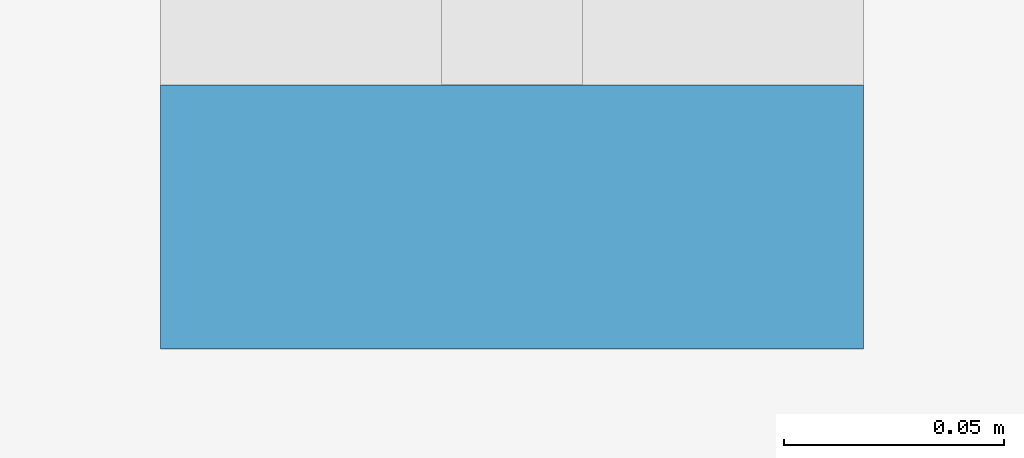
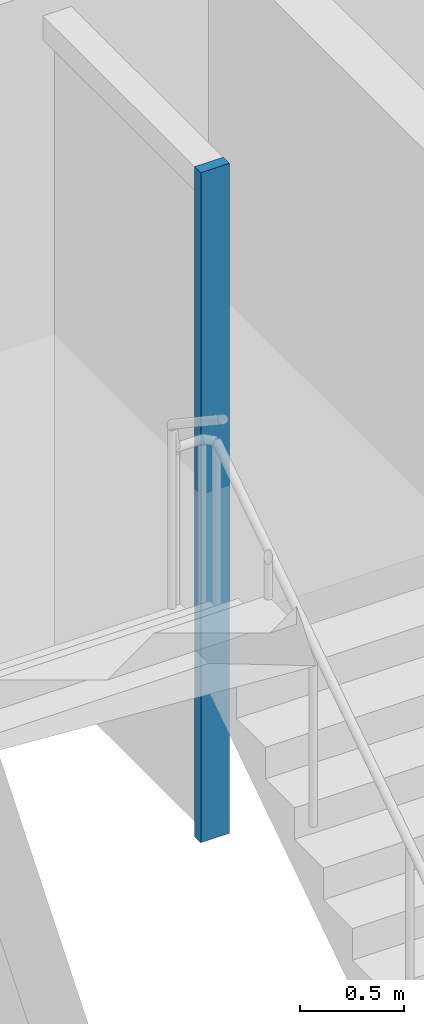
# One storey, part 9 of 29: 1 member, 1 element without a shape of its own.
"""IFC4 building model written with IfcOpenShell, lengths in metres."""

import ifcopenshell
import ifcopenshell.guid

model = None  # the IFC model being written
_history = None  # IfcOwnerHistory: only IFC2X3 demands one
_inside = {}  # id of a spatial element -> (the spatial element, [elements in it])
_under = {}  # id of a project, library or spatial element -> (it, [spatial elements below it])
_declared = {}  # id of a project -> (the project, [libraries it declares])
_typed = {}  # id of a type object -> (the type object, [elements of that type])
_made_of = {}  # id of a material, layer set ... -> (it, [elements and type objects made of it])


def new_model(schema):
    """Start an empty IFC model of exactly this schema.

    Asked for "IFC4X3", IfcOpenShell would pick the latest addendum, in which some entities
    have other attributes; the version numbers below select the first issue.
    IFC2X3 requires an IfcOwnerHistory on every rooted entity: one is made here for all.
    """
    global model, _history
    if schema == "IFC4X3":
        model = ifcopenshell.file(schema_version=(4, 3, 0, 0))
    else:
        model = ifcopenshell.file(schema=schema)
    _inside.clear()
    _under.clear()
    _declared.clear()
    _typed.clear()
    _made_of.clear()
    _history = None
    if model.schema == "IFC2X3":
        org = make("IfcOrganization", Name="unknown")
        user = make(
            "IfcPersonAndOrganization",
            ThePerson=make("IfcPerson", FamilyName="unknown"),
            TheOrganization=org,
        )
        app = make(
            "IfcApplication",
            ApplicationDeveloper=org,
            Version="unknown",
            ApplicationFullName="unknown",
            ApplicationIdentifier="unknown",
        )
        _history = make(
            "IfcOwnerHistory",
            OwningUser=user,
            OwningApplication=app,
            ChangeAction="ADDED",
            CreationDate=0,
        )
    return model


def make(cls, **values):
    """One entity of the class cls with the attributes given. An attribute that is None is left unset."""
    return model.create_entity(
        cls, **{name: value for name, value in values.items() if value is not None}
    )


def rooted(cls, **values):
    """An entity with a GlobalId (a new one), such as an element, a storey or a relation."""
    return make(cls, GlobalId=ifcopenshell.guid.new(), OwnerHistory=_history, **values)


def si_unit(unit_type, name, prefix=None):
    """IfcSIUnit, for example si_unit("LENGTHUNIT", "METRE", prefix="MILLI")."""
    return make("IfcSIUnit", UnitType=unit_type, Prefix=prefix, Name=name)


def assignment(units):
    """IfcUnitAssignment: the units of a project."""
    return None if units is None else make("IfcUnitAssignment", Units=units)


def point(xyz):
    """IfcCartesianPoint."""
    return None if xyz is None else make("IfcCartesianPoint", Coordinates=xyz)


def direction(xyz):
    """IfcDirection."""
    return None if xyz is None else make("IfcDirection", DirectionRatios=xyz)


def frame(location, z_axis=None, x_axis=None):
    """IfcAxis2Placement3D, a coordinate frame: its origin and axes. An axis left out is left unset."""
    return make(
        "IfcAxis2Placement3D",
        Location=point(location),
        Axis=direction(z_axis),
        RefDirection=direction(x_axis),
    )


def frame_2d(location, x_axis=None):
    """IfcAxis2Placement2D, a coordinate frame in the plane: its origin and x axis."""
    return make(
        "IfcAxis2Placement2D", Location=point(location), RefDirection=direction(x_axis)
    )


def origin():
    """The frame at (0, 0, 0) with its axes left unset."""
    return frame((0.0, 0.0, 0.0))


def origin_2d():
    """The frame at (0, 0) in the plane with its x axis left unset."""
    return frame_2d((0.0, 0.0))


def place(relative_to, where):
    """IfcLocalPlacement: puts the frame where relative to a parent placement (None: the world)."""
    return make(
        "IfcLocalPlacement", PlacementRelTo=relative_to, RelativePlacement=where
    )


def context(
    kind, dimensions, precision=None, world=None, true_north=None, identifier=None
):
    """IfcGeometricRepresentationContext, for example the 3D "Model" context."""
    return make(
        "IfcGeometricRepresentationContext",
        ContextIdentifier=identifier,
        ContextType=kind,
        CoordinateSpaceDimension=dimensions,
        Precision=precision,
        WorldCoordinateSystem=world,
        TrueNorth=true_north,
    )


def subcontext(parent, identifier, kind, view, scale=None):
    """IfcGeometricRepresentationSubContext, for example "Body" below "Model"."""
    return make(
        "IfcGeometricRepresentationSubContext",
        ContextIdentifier=identifier,
        ContextType=kind,
        ParentContext=parent,
        TargetScale=scale,
        TargetView=view,
    )


def project(units=None, contexts=None):
    """IfcProject with its units and contexts."""
    return rooted(
        "IfcProject",
        Name="project",
        RepresentationContexts=contexts,
        UnitsInContext=assignment(units),
    )


def spatial(cls, under=None, at=None, **own):
    """A site, building, storey or space (cls), placed at a placement, below another one or the project."""
    s = rooted(cls, ObjectPlacement=at, **own)
    if under is not None:
        _under.setdefault(under.id(), (under, []))[1].append(s)
    return s


def profile(cls, at=None, kind="AREA", **sizes):
    """A parametric profile (cls). Its sizes go by their IFC names, for example OverallWidth=200.0."""
    return make(cls, ProfileType=kind, Position=at, **sizes)


def rectangle(**sizes):
    """IfcRectangleProfileDef."""
    return profile("IfcRectangleProfileDef", **sizes)


def extrude(swept, where, along, depth):
    """IfcExtrudedAreaSolid: the profile swept, set in the frame where, extruded along a direction by depth."""
    return make(
        "IfcExtrudedAreaSolid",
        SweptArea=swept,
        Position=where,
        ExtrudedDirection=direction(along),
        Depth=depth,
    )


def shape(context_of_items, identifier, shape_type, items):
    """IfcShapeRepresentation: the items that make up one representation, for example the "Body"."""
    return make(
        "IfcShapeRepresentation",
        ContextOfItems=context_of_items,
        RepresentationIdentifier=identifier,
        RepresentationType=shape_type,
        Items=items,
    )


def material(Name=None, Category=None):
    """IfcMaterial."""
    return make("IfcMaterial", Name=Name, Category=Category)


def material_profile(
    of_material, cross_section, Name=None, Category=None, Priority=None
):
    """IfcMaterialProfile: a cross section and its material."""
    return make(
        "IfcMaterialProfile",
        Name=Name,
        Material=of_material,
        Profile=cross_section,
        Priority=Priority,
        Category=Category,
    )


def profile_set(profiles, Name=None, composite=None):
    """IfcMaterialProfileSet."""
    return make(
        "IfcMaterialProfileSet",
        Name=Name,
        MaterialProfiles=profiles,
        CompositeProfile=composite,
    )


def made_of(thing, what):
    """Note that an element or type object is made of a material, layer set ...; save() writes the relation."""
    if what is not None:
        _made_of.setdefault(what.id(), (what, []))[1].append(thing)
    return thing


def type_object(cls, material=None, **own):
    """A type object (cls), such as IfcWallType, which elements share."""
    return made_of(rooted(cls, **own), material)


def element(
    cls,
    number,
    at=None,
    inside=None,
    cuts=None,
    type_object=None,
    material=None,
    context=None,
    identifier="Body",
    shape_type=None,
    held_by="IfcProductDefinitionShape",
    body=None,
    shapes=None,
    **own,
):
    """One element of the class cls, such as IfcWall. Its Tag is "e" and its number.

    at: its placement. inside: the storey or other place that contains it. cuts: it is an
    opening in that element (IfcRelVoidsElement). A single representation is given by context,
    identifier, shape_type and body (its items); several are given by shapes. held_by: the class
    of the entity that holds the representations. save() writes the other relations.
    """
    e = rooted(cls, Tag="e%d" % number, ObjectPlacement=at, **own)
    if body is not None:
        shapes = [shape(context, identifier, shape_type, body)]
    if shapes is not None:
        e.Representation = make(held_by, Representations=shapes)
    if inside is not None:
        _inside.setdefault(inside.id(), (inside, []))[1].append(e)
    if cuts is not None:
        rooted(
            "IfcRelVoidsElement", RelatingBuildingElement=cuts, RelatedOpeningElement=e
        )
    if type_object is not None:
        _typed.setdefault(type_object.id(), (type_object, []))[1].append(e)
    return made_of(e, material)


def aggregate(whole, parts):
    """IfcRelAggregates: a whole, such as a stair, and the parts it consists of."""
    return rooted("IfcRelAggregates", RelatingObject=whole, RelatedObjects=parts)


def save(model, path):
    """Write the relations noted so far, then the file.

    IfcRelAggregates (storeys below a building ...), IfcRelContainedInSpatialStructure (elements
    in a storey), IfcRelDefinesByType, IfcRelAssociatesMaterial and IfcRelDeclares: one each for
    every whole, place, type object, material and project.
    """
    for whole, parts in _under.values():
        aggregate(whole, parts)
    for where, things in _inside.values():
        rooted(
            "IfcRelContainedInSpatialStructure",
            RelatedElements=things,
            RelatingStructure=where,
        )
    for kind, things in _typed.values():
        rooted("IfcRelDefinesByType", RelatedObjects=things, RelatingType=kind)
    for what, things in _made_of.values():
        rooted("IfcRelAssociatesMaterial", RelatedObjects=things, RelatingMaterial=what)
    for by, libraries in _declared.values():
        rooted("IfcRelDeclares", RelatingContext=by, RelatedDefinitions=libraries)
    model.write(path)


model = new_model("IFC4")

# Units and contexts
model_context = context("Model", 3, precision=1e-05, world=origin(), true_north=direction((0.0, 1.0)))
body_context = subcontext(model_context, "Body", "Model", "MODEL_VIEW")
ifc_project = project(units=[si_unit("LENGTHUNIT", "METRE"), si_unit("AREAUNIT", "SQUARE_METRE"), si_unit("VOLUMEUNIT", "CUBIC_METRE"), si_unit("PLANEANGLEUNIT", "RADIAN"), si_unit("MASSUNIT", "GRAM", prefix="KILO")], contexts=[model_context])

# Site, building, storey
site_placement = place(None, origin())
site = spatial("IfcSite", under=ifc_project, at=site_placement, CompositionType="ELEMENT")
building_placement = place(site_placement, origin())
building = spatial("IfcBuilding", under=site, at=building_placement, Name="Bicima Exchange Tower", CompositionType="ELEMENT")
storey_placement = place(building_placement, frame((0.0, 0.0, 190.89990234375)))
storey = spatial("IfcBuildingStorey", under=building, at=storey_placement, Name="L42", CompositionType="ELEMENT", Elevation=190.89990234375)

# Curtain wall, member
ifc_material = material(Name="Anodised bronze aluminium", Category="aluminium")
curtain_wall_type = type_object("IfcCurtainWallType", Name="Front glass wall", PredefinedType="NOTDEFINED", material=ifc_material)
curtain_wall_placement = place(storey_placement, origin())
curtain_wall = element("IfcCurtainWall", 1, at=curtain_wall_placement, inside=storey, type_object=curtain_wall_type, Name="Front glass wall L42 run 5", PredefinedType="NOTDEFINED")
ifc_material_profile = material_profile(ifc_material, rectangle(XDim=0.159912109375, YDim=0.06005859375, at=origin_2d()))
ifc_profile_set = profile_set([ifc_material_profile], Name="Anodised bronze aluminium")
member_type = type_object("IfcMemberType", Name="Front glass wall mullion 60 x 160", PredefinedType="MULLION", material=ifc_profile_set)
member_placement = place(storey_placement, frame((-29.77001953125, -6.1201171875, 0.0), z_axis=(0.0, 0.0, 1.0), x_axis=(1.0, 0.0, 0.0)))
member = element("IfcMember", 2, at=member_placement, type_object=member_type, Name="Front glass wall mullion 2", PredefinedType="MULLION", context=body_context, shape_type="SweptSolid", body=[
    extrude(rectangle(XDim=0.159912109375, YDim=0.06005859375, at=origin_2d()), origin(), (0.0, 0.0, 1.0), 3.9501953125),
])
aggregate(curtain_wall, [member])

save(model, "model.ifc")
